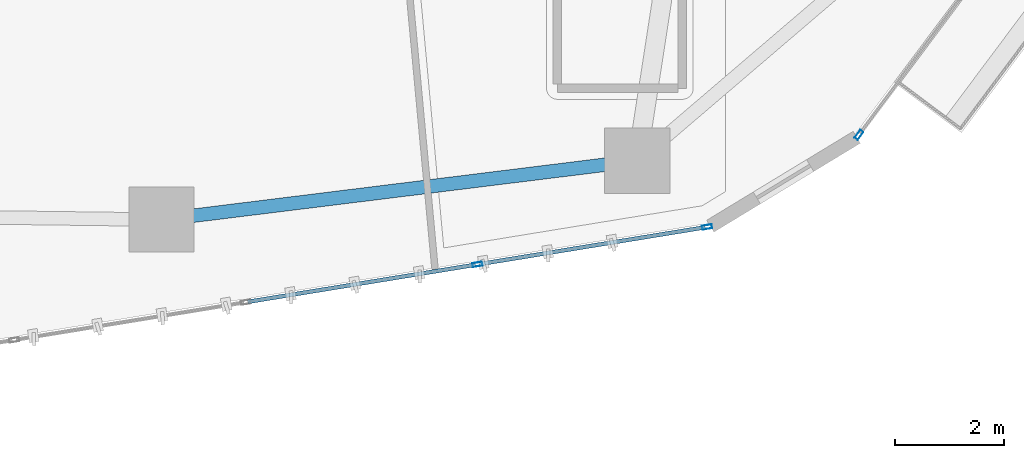
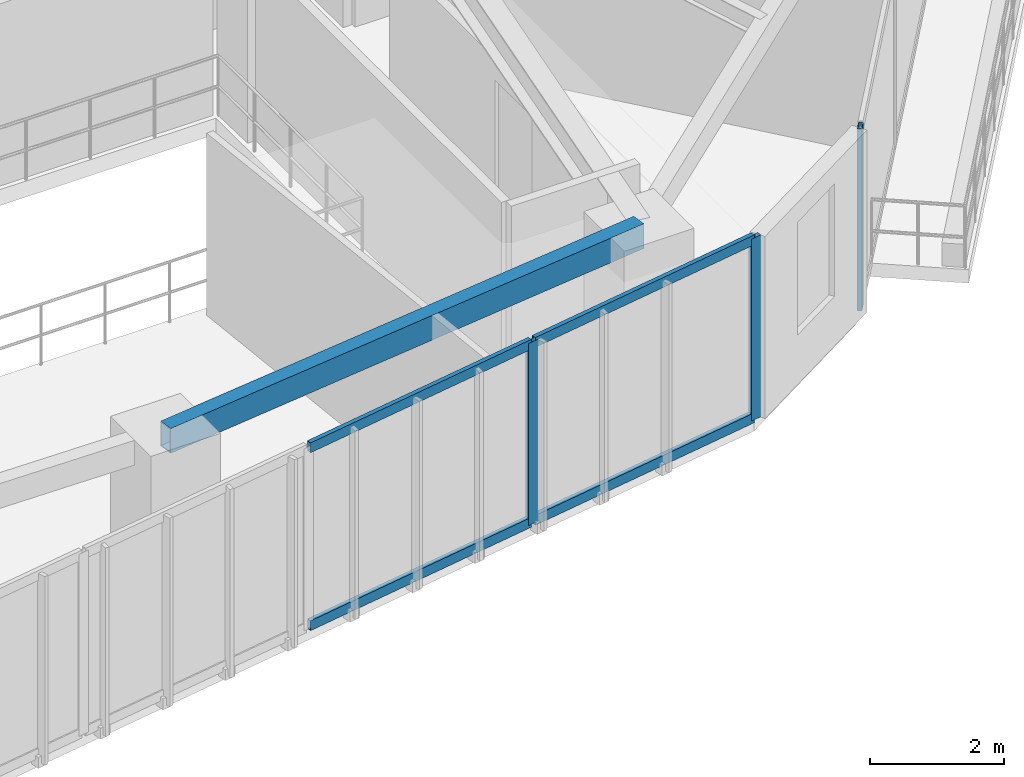
# One storey, part 6 of 23: 7 members, 1 beam, 2 elements without a shape of their own.
"""IFC4 building model written with IfcOpenShell, lengths in metres."""

from ifc_helpers import new_model, si_unit, direction, frame, origin, origin_2d, place, context, subcontext, project, spatial, hollow_rectangle, extrude, source, transform, mapped, material, layer, layer_set, material_profile, profile_set, type_object, type_shapes, element, aggregate, save


model = new_model("IFC4")

# Units and contexts
model_context = context("Model", 3, precision=1e-05, world=origin(), true_north=direction((0.0, 1.0)))
body_context = subcontext(model_context, "Body", "Model", "MODEL_VIEW")
ifc_project = project(units=[si_unit("LENGTHUNIT", "METRE"), si_unit("AREAUNIT", "SQUARE_METRE"), si_unit("VOLUMEUNIT", "CUBIC_METRE"), si_unit("PLANEANGLEUNIT", "RADIAN"), si_unit("MASSUNIT", "GRAM", prefix="KILO")], contexts=[model_context])

# Site, building, storey
site_placement = place(None, origin())
site = spatial("IfcSite", under=ifc_project, at=site_placement, CompositionType="ELEMENT")
building_placement = place(site_placement, origin())
building = spatial("IfcBuilding", under=site, at=building_placement, Name="Talar Marvaseh", CompositionType="ELEMENT")
storey_placement = place(building_placement, frame((0.0, 0.0, 118.199951171875)))
storey = spatial("IfcBuildingStorey", under=building, at=storey_placement, Name="L30", CompositionType="ELEMENT", Elevation=118.199951171875)

# Beam
ifc_material_1 = material(Name="Steel S355", Category="steel")
ifc_material_profile_1 = material_profile(ifc_material_1, hollow_rectangle(XDim=0.25, YDim=0.449951171875, WallThickness=0.01611328125, at=origin_2d()), Name="RHS450x250x16")
ifc_profile_set_1 = profile_set([ifc_material_profile_1], Name="Steel S355")
beam_type = type_object("IfcBeamType", Name="Zone 2 Perimeter Spandrel Beam RHS450x250x16", PredefinedType="SPANDREL", material=ifc_profile_set_1)
beam_placement = place(storey_placement, frame((31.570068359375, 14.26806640625, 3.0849609375), z_axis=(-0.992426007218, -0.122843885468, 0.0), x_axis=(0.122843885468, -0.992426007218, 0.0)))
element("IfcBeam", 1, at=beam_placement, inside=storey, type_object=beam_type, Name="L30 Zone 2 Perimeter Spandrel Beam RHS450x250x16", PredefinedType="SPANDREL", context=body_context, shape_type="SweptSolid", body=[
    extrude(hollow_rectangle(XDim=0.25, YDim=0.449951171875, WallThickness=0.01611328125, at=origin_2d()), origin(), (0.0, 0.0, 1.0), 8.83203125),
])

# Curtain wall, member
ifc_material_2 = material(Name="Architectural Aluminium", Category="aluminium")
ifc_layer = layer(ifc_material_2, 0.199951171875)
ifc_layer_set = layer_set([ifc_layer], Name="Architectural Aluminium")
curtain_wall_type = type_object("IfcCurtainWallType", Name="Unitised Acoustic Library Curtain Wall Z2", PredefinedType="NOTDEFINED", material=ifc_layer_set)
curtain_wall_1_placement = place(storey_placement, origin())
curtain_wall_1 = element("IfcCurtainWall", 2, at=curtain_wall_1_placement, inside=storey, type_object=curtain_wall_type, Name="L30 Unitised Acoustic Library Curtain Wall Z2", PredefinedType="NOTDEFINED")
ifc_material_profile_2 = material_profile(ifc_material_2, hollow_rectangle(XDim=0.074951171875, YDim=0.179931640625, WallThickness=0.0048828125, at=origin_2d()), Name="RHS180x75x5")
ifc_profile_set_2 = profile_set([ifc_material_profile_2], Name="Architectural Aluminium")
member_type_1 = type_object("IfcMemberType", Name="Unitised Curtain Wall Standard Mullion RHS180x75x5", PredefinedType="MULLION", material=ifc_profile_set_2)
shared_shape_1 = source(origin(), body_context, "Body", "SweptSolid", [
    extrude(hollow_rectangle(XDim=0.074951171875, YDim=0.179931640625, WallThickness=0.0048828125, at=origin_2d()), origin(), (0.0, 0.0, 1.0), 3.31005859375),
])
type_shapes(member_type_1, [shared_shape_1])
member_1_placement = place(storey_placement, frame((35.65234375, 14.74462890625, 0.0), z_axis=(0.0, 0.0, 1.0), x_axis=(0.801158521176, -0.598452190193, 0.0)))
member_1 = element("IfcMember", 3, at=member_1_placement, type_object=member_type_1, Name="CW-Z2 mullion 3", PredefinedType="MULLION", context=body_context, shape_type="MappedRepresentation", body=[
    mapped(shared_shape_1, transform((0.0, 0.0, 0.0), x_axis=(1.0, 0.0, 0.0), y_axis=(0.0, 1.0, 0.0), z_axis=(0.0, 0.0, 1.0), scale=1.0)),
])
aggregate(curtain_wall_1, [member_1])

# Curtain wall, members
curtain_wall_2_placement = place(storey_placement, origin())
curtain_wall_2 = element("IfcCurtainWall", 4, at=curtain_wall_2_placement, inside=storey, type_object=curtain_wall_type, Name="L30 Unitised Acoustic Library Curtain Wall Z2", PredefinedType="NOTDEFINED")
member_2_placement = place(storey_placement, frame((32.857177734375, 13.04833984375, 0.0), z_axis=(0.0, 0.0, 1.0), x_axis=(0.160891802029, -0.986972050283, 0.0)))
member_2 = element("IfcMember", 5, at=member_2_placement, type_object=member_type_1, Name="CW-Z2 mullion 1", PredefinedType="MULLION", context=body_context, shape_type="MappedRepresentation", body=[
    mapped(shared_shape_1, transform((0.0, 0.0, 0.0), x_axis=(1.0, 0.0, 0.0), y_axis=(0.0, 1.0, 0.0), z_axis=(0.0, 0.0, 1.0), scale=1.0)),
])
member_3_placement = place(storey_placement, frame((28.626953125, 12.35888671875, 0.0), z_axis=(0.0, 0.0, 1.0), x_axis=(0.160891802029, -0.986972050283, 0.0)))
member_3 = element("IfcMember", 6, at=member_3_placement, type_object=member_type_1, Name="CW-Z2 mullion 2", PredefinedType="MULLION", context=body_context, shape_type="MappedRepresentation", body=[
    mapped(shared_shape_1, transform((0.0, 0.0, 0.0), x_axis=(1.0, 0.0, 0.0), y_axis=(0.0, 1.0, 0.0), z_axis=(0.0, 0.0, 1.0), scale=1.0)),
])
ifc_material_profile_3 = material_profile(ifc_material_2, hollow_rectangle(XDim=0.074951171875, YDim=0.179931640625, WallThickness=0.0048828125, at=origin_2d()), Name="RHS180x75x5")
ifc_profile_set_3 = profile_set([ifc_material_profile_3], Name="Architectural Aluminium")
member_type_2 = type_object("IfcMemberType", Name="Unitised Curtain Wall Transom RHS180x75x5", PredefinedType="USERDEFINED", material=ifc_profile_set_3)
shared_shape_2 = source(origin(), body_context, "Body", "SweptSolid", [
    extrude(hollow_rectangle(XDim=0.074951171875, YDim=0.179931640625, WallThickness=0.0048828125, at=origin_2d()), origin(), (0.0, 0.0, 1.0), 4.2109375),
])
member_4_placement = place(storey_placement, frame((32.820068359375, 13.042236328125, 0.03759765625), z_axis=(-0.98697217814, -0.160891017702, 0.0), x_axis=(0.160891017702, -0.98697217814, 0.0)))
member_4 = element("IfcMember", 7, at=member_4_placement, type_object=member_type_2, Name="CW-Z2 transom 1.1", ObjectType="TRANSOM", PredefinedType="USERDEFINED", context=body_context, shape_type="MappedRepresentation", body=[
    mapped(shared_shape_2, transform((0.0, 0.0, 0.0), x_axis=(1.0, 0.0, 0.0), y_axis=(0.0, 1.0, 0.0), z_axis=(0.0, 0.0, 1.0), scale=1.0)),
])
member_5_placement = place(storey_placement, frame((32.820068359375, 13.042236328125, 3.2724609375), z_axis=(-0.98697217814, -0.160891017702, 0.0), x_axis=(0.160891017702, -0.98697217814, 0.0)))
member_5 = element("IfcMember", 8, at=member_5_placement, type_object=member_type_2, Name="CW-Z2 transom 1.2", ObjectType="TRANSOM", PredefinedType="USERDEFINED", context=body_context, shape_type="MappedRepresentation", body=[
    mapped(shared_shape_2, transform((0.0, 0.0, 0.0), x_axis=(1.0, 0.0, 0.0), y_axis=(0.0, 1.0, 0.0), z_axis=(0.0, 0.0, 1.0), scale=1.0)),
])
shared_shape_3 = source(origin(), body_context, "Body", "SweptSolid", [
    extrude(hollow_rectangle(XDim=0.074951171875, YDim=0.179931640625, WallThickness=0.0048828125, at=origin_2d()), origin(), (0.0, 0.0, 1.0), 4.248779296875),
])
type_shapes(member_type_2, [shared_shape_2, shared_shape_3])
member_6_placement = place(storey_placement, frame((28.590087890625, 12.352783203125, 0.03759765625), z_axis=(-0.986971642112, -0.160894305887, 0.0), x_axis=(0.160894305887, -0.986971642112, 0.0)))
member_6 = element("IfcMember", 9, at=member_6_placement, type_object=member_type_2, Name="CW-Z2 transom 2.1", ObjectType="TRANSOM", PredefinedType="USERDEFINED", context=body_context, shape_type="MappedRepresentation", body=[
    mapped(shared_shape_3, transform((0.0, 0.0, 0.0), x_axis=(1.0, 0.0, 0.0), y_axis=(0.0, 1.0, 0.0), z_axis=(0.0, 0.0, 1.0), scale=1.0)),
])
member_7_placement = place(storey_placement, frame((28.590087890625, 12.352783203125, 3.2724609375), z_axis=(-0.986971642112, -0.160894305887, 0.0), x_axis=(0.160894305887, -0.986971642112, 0.0)))
member_7 = element("IfcMember", 10, at=member_7_placement, type_object=member_type_2, Name="CW-Z2 transom 2.2", ObjectType="TRANSOM", PredefinedType="USERDEFINED", context=body_context, shape_type="MappedRepresentation", body=[
    mapped(shared_shape_3, transform((0.0, 0.0, 0.0), x_axis=(1.0, 0.0, 0.0), y_axis=(0.0, 1.0, 0.0), z_axis=(0.0, 0.0, 1.0), scale=1.0)),
])
aggregate(curtain_wall_2, [member_2, member_3, member_4, member_5, member_6, member_7])

save(model, "model.ifc")
